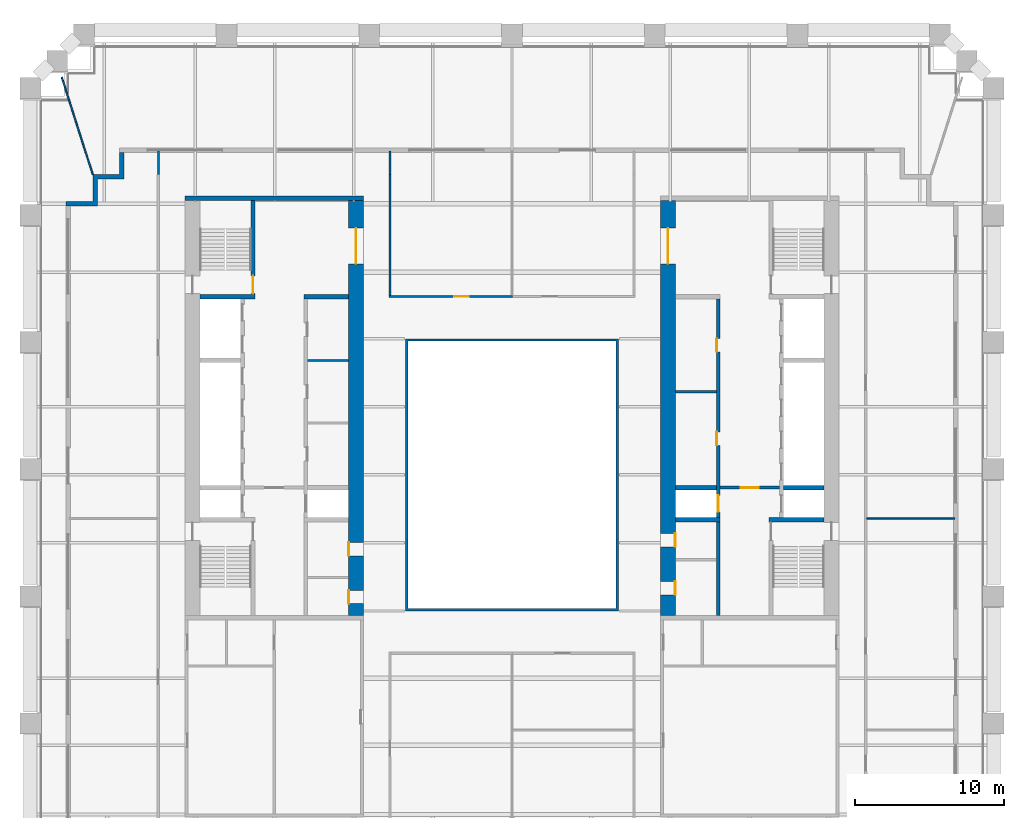
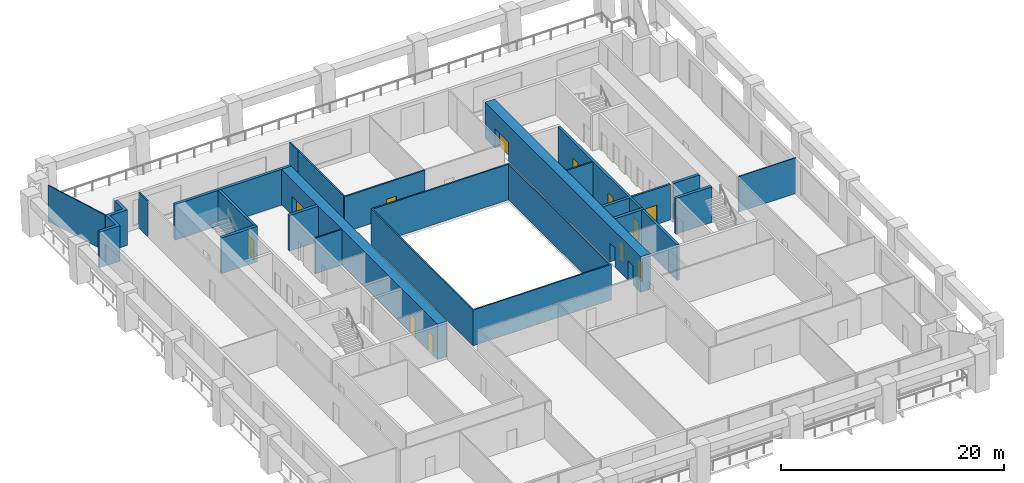
# One storey, part 8 of 11: 22 walls, 12 doors, 12 openings.
"""IFC4 building model written with IfcOpenShell, lengths in metres."""

from ifc_helpers import new_model, si_unit, direction, frame, frame_2d, origin, place, context, subcontext, project, spatial, polyline, rectangle, outline, extrude, material, layer, layer_set, type_object, element, fill, save


model = new_model("IFC4")

# Units and contexts
model_context = context("Model", 3, precision=1e-05, world=origin(), true_north=direction((0.0, 1.0)))
body_context = subcontext(model_context, "Body", "Model", "MODEL_VIEW")
ifc_project = project(units=[si_unit("LENGTHUNIT", "METRE"), si_unit("AREAUNIT", "SQUARE_METRE"), si_unit("VOLUMEUNIT", "CUBIC_METRE"), si_unit("PLANEANGLEUNIT", "RADIAN"), si_unit("MASSUNIT", "GRAM", prefix="KILO")], contexts=[model_context])

# Site, building, storey
site_placement = place(None, origin())
site = spatial("IfcSite", under=ifc_project, at=site_placement, CompositionType="ELEMENT")
building_placement = place(site_placement, origin())
building = spatial("IfcBuilding", under=site, at=building_placement, Name="Ogive Exchange Tower", CompositionType="ELEMENT")
storey_placement = place(building_placement, frame((0.0, 0.0, 90.0)))
storey = spatial("IfcBuildingStorey", under=building, at=storey_placement, Name="L19", CompositionType="ELEMENT", Elevation=90.0)

# Walls
ifc_material_1 = material(Name="Gypsum board partition")
ifc_layer_1 = layer(ifc_material_1, 0.14990234375)
ifc_layer_set_1 = layer_set([ifc_layer_1], Name="Core room partition 150 gypsum")
wall_type_1 = type_object("IfcWallType", Name="Core room partition 150 gypsum", PredefinedType="PARTITIONING", material=ifc_layer_set_1)
for number, where, z_axis, x_axis, name in (
    (1, (-13.75, 14.699951171875, 0.0), (0.0, 0.0, 1.0), (1.0, 0.0, 0.0), "W row B bay partition 1-2"),
    (2, (11.0, 12.60009765625, 0.0), (0.0, 0.0, 1.0), (1.0, 0.0, 0.0), "E row B bay partition 1-1"),
):
    element("IfcWall", number, at=place(storey_placement, frame(where, z_axis=z_axis, x_axis=x_axis)), inside=storey, type_object=wall_type_1, Name=name, PredefinedType="PARTITIONING", context=body_context, shape_type="SweptSolid", body=[
        extrude(rectangle(XDim=2.75, YDim=0.14990234375, at=frame_2d((1.375, 0.0))), origin(), (0.0, 0.0, 1.0), 3.89990234375),
    ])
ifc_layer_2 = layer(ifc_material_1, 0.300048828125)
ifc_layer_set_2 = layer_set([ifc_layer_2], Name="Core room partition 300 gypsum")
wall_type_2 = type_object("IfcWallType", Name="Core room partition 300 gypsum", PredefinedType="PARTITIONING", material=ifc_layer_set_2)
wall_1_placement = place(storey_placement, frame((-14.0, 19.0, 0.0), z_axis=(0.0, 0.0, 1.0), x_axis=(1.0, 0.0, 0.0)))
element("IfcWall", 3, at=wall_1_placement, inside=storey, type_object=wall_type_2, Name="W row B room end wall 7", PredefinedType="PARTITIONING", context=body_context, shape_type="SweptSolid", body=[
    extrude(rectangle(XDim=3.0, YDim=0.300048828125, at=frame_2d((1.5, 0.0))), origin(), (0.0, 0.0, 1.0), 3.89990234375),
])
ifc_material_2 = material(Name="Fire partition EI 60 150")
ifc_layer_3 = layer(ifc_material_2, 0.14990234375)
ifc_layer_set_3 = layer_set([ifc_layer_3], Name="Fire partition EI 60 150")
wall_type_3 = type_object("IfcWallType", Name="Fire partition EI 60 150", PredefinedType="PARTITIONING", material=ifc_layer_set_3)
for number, where, z_axis, x_axis, name in (
    (4, (-23.7900390625, 27.199951171875, 0.0), (0.0, 0.0, 1.0), (0.0, 1.0, 0.0), "L19-PWL-006"),
    (5, (-8.2099609375, 28.800048828125, 0.0), (0.0, 0.0, 1.0), (0.0, -1.0, 0.0), "L19-PWL-011"),
):
    element("IfcWall", number, at=place(storey_placement, frame(where, z_axis=z_axis, x_axis=x_axis)), inside=storey, type_object=wall_type_3, Name=name, PredefinedType="PARTITIONING", context=body_context, shape_type="SweptSolid", body=[
        extrude(rectangle(XDim=1.60009765625, YDim=0.14990234375, at=frame_2d((0.800048828125, 0.0))), origin(), (0.0, 0.0, 1.0), 3.89990234375),
    ])

# Wall, opening, door
wall_2_placement = place(storey_placement, frame((-8.27490234375, 19.0, 0.0), z_axis=(0.0, 0.0, 1.0), x_axis=(1.0, 0.0, 0.0)))
wall_2 = element("IfcWall", 6, at=wall_2_placement, inside=storey, type_object=wall_type_3, Name="L19-PWL-014", PredefinedType="PARTITIONING", context=body_context, shape_type="SweptSolid", body=[
    extrude(rectangle(XDim=8.324951171875, YDim=0.14990234375, at=frame_2d((4.16259765625, 0.0))), origin(), (0.0, 0.0, 1.0), 3.89990234375),
])
opening_1_placement = place(wall_2_placement, frame((4.375, 0.0, 0.0)))
opening_1 = element("IfcOpeningElement", 7, at=opening_1_placement, cuts=wall_2, Name="Opening L19-I01", PredefinedType="OPENING", context=body_context, shape_type="SweptSolid", body=[
    extrude(rectangle(XDim=1.0, YDim=2.10009765625, at=frame_2d((0.5, 1.050048828125))), frame((0.0, 0.0849609375, 0.0), z_axis=(0.0, -1.0, 0.0), x_axis=(1.0, 0.0, 0.0)), (0.0, 0.0, 1.0), 0.169921875),
])
ifc_material_3 = material(Name="Fire door FD 30S 1000 x 2100")
door_type_1 = type_object("IfcDoorType", Name="Fire door FD 30S 1000 x 2100", OperationType="NOTDEFINED", PredefinedType="DOOR", material=ifc_material_3)
door_1_placement = place(opening_1_placement, origin())
door_1 = element("IfcDoor", 8, at=door_1_placement, inside=storey, type_object=door_type_1, Name="L19-IDR-001", ObjectType="DT3", OperationType="SINGLE_SWING_LEFT", OverallHeight=2.10009765625, OverallWidth=1.0, PredefinedType="DOOR", context=body_context, shape_type="SweptSolid", body=[
    extrude(rectangle(XDim=1.0, YDim=2.10009765625, at=frame_2d((0.5, 1.050048828125))), frame((0.0, 0.02490234375, 0.0), z_axis=(0.0, -1.0, 0.0), x_axis=(1.0, 0.0, 0.0)), (0.0, 0.0, 1.0), 0.050048828125),
])
fill(opening_1, door_1)

# Walls
wall_3_placement = place(storey_placement, frame((-8.199951171875, 27.199951171875, 0.0), z_axis=(0.0, 0.0, 1.0), x_axis=(0.0, -1.0, 0.0)))
element("IfcWall", 9, at=wall_3_placement, inside=storey, type_object=wall_type_3, Name="L19-PWL-015", PredefinedType="PARTITIONING", context=body_context, shape_type="SweptSolid", body=[
    extrude(rectangle(XDim=8.125, YDim=0.14990234375, at=frame_2d((4.0625, 0.0))), origin(), (0.0, 0.0, 1.0), 3.89990234375),
])
ifc_material_4 = material(Name="Fire-resisting glass in steel frame", Category="steel")
ifc_layer_4 = layer(ifc_material_4, 0.14990234375)
ifc_layer_set_4 = layer_set([ifc_layer_4], Name="Fire-rated glazed wall 150")
wall_type_4 = type_object("IfcWallType", Name="Fire-rated glazed wall 150", PredefinedType="STANDARD", material=ifc_layer_set_4)
wall_4_placement = place(storey_placement, origin())
element("IfcWall", 10, at=wall_4_placement, inside=storey, type_object=wall_type_4, Name="Nave enclosure wall", PredefinedType="STANDARD", context=body_context, shape_type="SweptSolid", body=[
    extrude(outline(polyline([(-7.14990234375, -2.14990234375), (7.14990234375, -2.14990234375), (7.14990234375, 16.14990234375), (-7.14990234375, 16.14990234375), (-7.14990234375, -2.14990234375)]), holes=[polyline([(-7.0, -2.0), (-7.0, 16.0), (7.0, 16.0), (7.0, -2.0), (-7.0, -2.0)])]), origin(), (0.0, 0.0, 1.0), 3.89990234375),
])
ifc_material_5 = material(Name="Precast concrete C40/50", Category="concrete")
ifc_layer_5 = layer(ifc_material_5, 0.300048828125)
ifc_layer_set_5 = layer_set([ifc_layer_5], Name="Limestone-faced wall 300")
wall_type_5 = type_object("IfcWallType", Name="Limestone-faced wall 300", PredefinedType="STANDARD", material=ifc_layer_set_5)
wall_5_placement = place(storey_placement, origin())
element("IfcWall", 11, at=wall_5_placement, inside=storey, type_object=wall_type_5, Name="External corner wall C3", PredefinedType="STANDARD", context=body_context, shape_type="SweptSolid", body=[
    extrude(outline(polyline([(-28.199951171875, 25.39990234375), (-28.199951171875, 27.199951171875), (-26.39990234375, 27.199951171875), (-26.39990234375, 28.699951171875), (-26.10009765625, 28.699951171875), (-26.10009765625, 26.89990234375), (-27.89990234375, 26.89990234375), (-27.89990234375, 25.10009765625), (-30.0, 25.10009765625), (-30.0, 25.39990234375), (-28.199951171875, 25.39990234375)])), origin(), (0.0, 0.0, 1.0), 3.89990234375),
])
ifc_material_6 = material(Name="Laminated safety glass in steel frame", Category="steel")
ifc_layer_6 = layer(ifc_material_6, 0.10009765625)
ifc_layer_set_6 = layer_set([ifc_layer_6], Name="Loggia end screen 100")
wall_type_6 = type_object("IfcWallType", Name="Loggia end screen 100", PredefinedType="STANDARD", material=ifc_layer_set_6)
wall_6_placement = place(storey_placement, frame((-28.199951171875, 27.199951171875, -0.050048828125), z_axis=(0.0, 0.0, 1.0), x_axis=(-0.303785653439, 0.952740403659, 0.0)))
element("IfcWall", 12, at=wall_6_placement, inside=storey, type_object=wall_type_6, Name="Loggia end screen C3", PredefinedType="STANDARD", context=body_context, shape_type="SweptSolid", body=[
    extrude(rectangle(XDim=6.890625, YDim=0.10009765625, at=frame_2d((3.4453125, 0.0))), origin(), (0.0, 0.0, 1.0), 3.949951171875),
])
ifc_material_7 = material(Name="Partition 100 gypsum")
ifc_layer_7 = layer(ifc_material_7, 0.10009765625)
ifc_layer_set_7 = layer_set([ifc_layer_7], Name="Partition 100 gypsum")
wall_type_7 = type_object("IfcWallType", Name="Partition 100 gypsum", PredefinedType="PARTITIONING", material=ifc_layer_set_7)
wall_7_placement = place(storey_placement, frame((23.875, 4.06005859375, 0.0), z_axis=(0.0, 0.0, 1.0), x_axis=(1.0, 0.0, 0.0)))
element("IfcWall", 13, at=wall_7_placement, inside=storey, type_object=wall_type_7, Name="L19-PWL-036", PredefinedType="PARTITIONING", context=body_context, shape_type="SweptSolid", body=[
    extrude(rectangle(XDim=5.925048828125, YDim=0.10009765625, at=frame_2d((2.96240234375, 0.0))), origin(), (0.0, 0.0, 1.0), 3.89990234375),
])

# Wall, openings, doors
ifc_material_8 = material(Name="Concrete C70/85", Category="concrete")
ifc_layer_8 = layer(ifc_material_8, 1.0)
ifc_layer_set_8 = layer_set([ifc_layer_8], Name="RC core wall 1000 C70/85")
wall_type_8 = type_object("IfcWallType", Name="RC core wall 1000 C70/85", PredefinedType="SHEAR", material=ifc_layer_set_8)
wall_8_placement = place(storey_placement, frame((-10.5, -2.449951171875, 0.0), z_axis=(0.0, 0.0, 1.0), x_axis=(0.0, 1.0, 0.0)))
wall_8 = element("IfcWall", 14, at=wall_8_placement, inside=storey, type_object=wall_type_8, Name="W inner wall", PredefinedType="SHEAR", context=body_context, shape_type="SweptSolid", body=[
    extrude(rectangle(XDim=27.89990234375, YDim=1.0, at=frame_2d((13.949951171875, 0.0))), origin(), (0.0, 0.0, 1.0), 3.89990234375),
])
opening_2_placement = place(wall_8_placement, frame((23.64990234375, 0.0, 0.0)))
opening_2 = element("IfcOpeningElement", 15, at=opening_2_placement, cuts=wall_8, Name="Opening L19-C13", PredefinedType="OPENING", context=body_context, shape_type="SweptSolid", body=[
    extrude(rectangle(XDim=2.39990234375, YDim=2.10009765625, at=frame_2d((1.199951171875, 1.050048828125))), frame((0.0, 0.510009765625, 0.0), z_axis=(0.0, -1.0, 0.0), x_axis=(1.0, 0.0, 0.0)), (0.0, 0.0, 1.0), 1.02001953125),
])
opening_3_placement = place(wall_8_placement, frame((0.78759765625, 0.0, 0.0)))
opening_3 = element("IfcOpeningElement", 16, at=opening_3_placement, cuts=wall_8, Name="Opening L19-C18", PredefinedType="OPENING", context=body_context, shape_type="SweptSolid", body=[
    extrude(rectangle(XDim=0.89990234375, YDim=2.10009765625, at=frame_2d((0.449951171875, 1.050048828125))), frame((0.0, 0.510009765625, 0.0), z_axis=(0.0, -1.0, 0.0), x_axis=(1.0, 0.0, 0.0)), (0.0, 0.0, 1.0), 1.02001953125),
])
opening_4_placement = place(wall_8_placement, frame((4.012451171875, 0.0, 0.0)))
opening_4 = element("IfcOpeningElement", 17, at=opening_4_placement, cuts=wall_8, Name="Opening L19-C19", PredefinedType="OPENING", context=body_context, shape_type="SweptSolid", body=[
    extrude(rectangle(XDim=0.89990234375, YDim=2.10009765625, at=frame_2d((0.449951171875, 1.050048828125))), frame((0.0, 0.510009765625, 0.0), z_axis=(0.0, -1.0, 0.0), x_axis=(1.0, 0.0, 0.0)), (0.0, 0.0, 1.0), 1.02001953125),
])
ifc_material_9 = material(Name="Timber fire door", Category="wood")
door_type_2 = type_object("IfcDoorType", Name="Core room door FD30S 900 x 2100", OperationType="NOTDEFINED", PredefinedType="DOOR", material=ifc_material_9)
door_2_placement = place(opening_3_placement, origin())
door_2 = element("IfcDoor", 18, at=door_2_placement, inside=storey, type_object=door_type_2, Name="Core room door", ObjectType="CD6", OperationType="SINGLE_SWING_RIGHT", OverallHeight=2.10009765625, OverallWidth=0.89990234375, PredefinedType="DOOR", context=body_context, shape_type="SweptSolid", body=[
    extrude(rectangle(XDim=0.89990234375, YDim=2.10009765625, at=frame_2d((0.449951171875, 1.050048828125))), frame((0.0, 0.5, 0.0), z_axis=(0.0, -1.0, 0.0), x_axis=(1.0, 0.0, 0.0)), (0.0, 0.0, 1.0), 0.050048828125),
])
fill(opening_3, door_2)
ifc_material_10 = material(Name="Glazed steel fire door", Category="steel")
door_type_3 = type_object("IfcDoorType", Name="Lift lobby double door FD60 2400 x 2100", OperationType="DOUBLE_DOOR_SINGLE_SWING", PredefinedType="DOOR", material=ifc_material_10)
door_3_placement = place(opening_2_placement, origin())
door_3 = element("IfcDoor", 19, at=door_3_placement, inside=storey, type_object=door_type_3, Name="Lift lobby double door", ObjectType="CD4", OperationType="DOUBLE_DOOR_SINGLE_SWING", OverallHeight=2.10009765625, OverallWidth=2.39990234375, PredefinedType="DOOR", context=body_context, shape_type="SweptSolid", body=[
    extrude(rectangle(XDim=2.39990234375, YDim=2.10009765625, at=frame_2d((1.199951171875, 1.050048828125))), frame((0.0, 0.02490234375, 0.0), z_axis=(0.0, -1.0, 0.0), x_axis=(1.0, 0.0, 0.0)), (0.0, 0.0, 1.0), 0.050048828125),
])
fill(opening_2, door_3)
ifc_material_11 = material(Name="Steel fire door", Category="steel")
door_type_4 = type_object("IfcDoorType", Name="Riser door FD60 900 x 2100", OperationType="NOTDEFINED", PredefinedType="DOOR", material=ifc_material_11)
door_4_placement = place(opening_4_placement, origin())
door_4 = element("IfcDoor", 20, at=door_4_placement, inside=storey, type_object=door_type_4, Name="Riser door", ObjectType="CD2", OperationType="SINGLE_SWING_RIGHT", OverallHeight=2.10009765625, OverallWidth=0.89990234375, PredefinedType="DOOR", context=body_context, shape_type="SweptSolid", body=[
    extrude(rectangle(XDim=0.89990234375, YDim=2.10009765625, at=frame_2d((0.449951171875, 1.050048828125))), frame((0.0, 0.5, 0.0), z_axis=(0.0, -1.0, 0.0), x_axis=(1.0, 0.0, 0.0)), (0.0, 0.0, 1.0), 0.050048828125),
])
fill(opening_4, door_4)

wall_9_placement = place(storey_placement, frame((10.5, -2.449951171875, 0.0), z_axis=(0.0, 0.0, 1.0), x_axis=(0.0, 1.0, 0.0)))
wall_9 = element("IfcWall", 21, at=wall_9_placement, inside=storey, type_object=wall_type_8, Name="E inner wall", PredefinedType="SHEAR", context=body_context, shape_type="SweptSolid", body=[
    extrude(rectangle(XDim=27.89990234375, YDim=1.0, at=frame_2d((13.949951171875, 0.0))), origin(), (0.0, 0.0, 1.0), 3.89990234375),
])
opening_5_placement = place(wall_9_placement, frame((23.64990234375, 0.0, 0.0)))
opening_5 = element("IfcOpeningElement", 22, at=opening_5_placement, cuts=wall_9, Name="Opening L19-C35", PredefinedType="OPENING", context=body_context, shape_type="SweptSolid", body=[
    extrude(rectangle(XDim=2.39990234375, YDim=2.10009765625, at=frame_2d((1.199951171875, 1.050048828125))), frame((0.0, 0.510009765625, 0.0), z_axis=(0.0, -1.0, 0.0), x_axis=(1.0, 0.0, 0.0)), (0.0, 0.0, 1.0), 1.02001953125),
])
opening_6_placement = place(wall_9_placement, frame((1.387451171875, 0.0, 0.0)))
opening_6 = element("IfcOpeningElement", 23, at=opening_6_placement, cuts=wall_9, Name="Opening L19-C40", PredefinedType="OPENING", context=body_context, shape_type="SweptSolid", body=[
    extrude(rectangle(XDim=0.89990234375, YDim=2.10009765625, at=frame_2d((0.449951171875, 1.050048828125))), frame((0.0, 0.510009765625, 0.0), z_axis=(0.0, -1.0, 0.0), x_axis=(1.0, 0.0, 0.0)), (0.0, 0.0, 1.0), 1.02001953125),
])
opening_7_placement = place(wall_9_placement, frame((4.612548828125, 0.0, 0.0)))
opening_7 = element("IfcOpeningElement", 24, at=opening_7_placement, cuts=wall_9, Name="Opening L19-C41", PredefinedType="OPENING", context=body_context, shape_type="SweptSolid", body=[
    extrude(rectangle(XDim=0.89990234375, YDim=2.10009765625, at=frame_2d((0.449951171875, 1.050048828125))), frame((0.0, 0.510009765625, 0.0), z_axis=(0.0, -1.0, 0.0), x_axis=(1.0, 0.0, 0.0)), (0.0, 0.0, 1.0), 1.02001953125),
])
door_5_placement = place(opening_6_placement, frame((0.89990234375, -0.9501953125, 0.0), z_axis=(0.0, 0.0, 1.0), x_axis=(-1.0, 0.0, 0.0)))
door_5 = element("IfcDoor", 25, at=door_5_placement, inside=storey, type_object=door_type_2, Name="Core room door", ObjectType="CD6", OperationType="SINGLE_SWING_RIGHT", OverallHeight=2.10009765625, OverallWidth=0.89990234375, PredefinedType="DOOR", context=body_context, shape_type="SweptSolid", body=[
    extrude(rectangle(XDim=0.89990234375, YDim=2.10009765625, at=frame_2d((0.449951171875, 1.050048828125))), frame((0.0, -0.4501953125, 0.0), z_axis=(0.0, -1.0, 0.0), x_axis=(1.0, 0.0, 0.0)), (0.0, 0.0, 1.0), 0.050048828125),
])
fill(opening_6, door_5)
door_6_placement = place(opening_7_placement, frame((0.89990234375, -0.9501953125, 0.0), z_axis=(0.0, 0.0, 1.0), x_axis=(-1.0, 0.0, 0.0)))
door_6 = element("IfcDoor", 26, at=door_6_placement, inside=storey, type_object=door_type_2, Name="Core room door", ObjectType="CD6", OperationType="SINGLE_SWING_RIGHT", OverallHeight=2.10009765625, OverallWidth=0.89990234375, PredefinedType="DOOR", context=body_context, shape_type="SweptSolid", body=[
    extrude(rectangle(XDim=0.89990234375, YDim=2.10009765625, at=frame_2d((0.449951171875, 1.050048828125))), frame((0.0, -0.4501953125, 0.0), z_axis=(0.0, -1.0, 0.0), x_axis=(1.0, 0.0, 0.0)), (0.0, 0.0, 1.0), 0.050048828125),
])
fill(opening_7, door_6)
door_7_placement = place(opening_5_placement, frame((2.39990234375, 0.0, 0.0), z_axis=(0.0, 0.0, 1.0), x_axis=(-1.0, 0.0, 0.0)))
door_7 = element("IfcDoor", 27, at=door_7_placement, inside=storey, type_object=door_type_3, Name="Lift lobby double door", ObjectType="CD4", OperationType="DOUBLE_DOOR_SINGLE_SWING", OverallHeight=2.10009765625, OverallWidth=2.39990234375, PredefinedType="DOOR", context=body_context, shape_type="SweptSolid", body=[
    extrude(rectangle(XDim=2.39990234375, YDim=2.10009765625, at=frame_2d((1.199951171875, 1.050048828125))), frame((0.0, 0.02490234375, 0.0), z_axis=(0.0, -1.0, 0.0), x_axis=(1.0, 0.0, 0.0)), (0.0, 0.0, 1.0), 0.050048828125),
])
fill(opening_5, door_7)

# Wall, opening, door
ifc_layer_9 = layer(ifc_material_8, 0.199951171875)
ifc_layer_set_9 = layer_set([ifc_layer_9], Name="RC core wall 200 C70/85")
wall_type_9 = type_object("IfcWallType", Name="RC core wall 200 C70/85", PredefinedType="SHEAR", material=ifc_layer_set_9)
wall_10_placement = place(storey_placement, frame((14.0, 6.142822265625, 0.0), z_axis=(0.0, 0.0, 1.0), x_axis=(1.0, 0.0, 0.0)))
wall_10 = element("IfcWall", 28, at=wall_10_placement, inside=storey, type_object=wall_type_9, Name="E firefighting lobby wall", PredefinedType="SHEAR", context=body_context, shape_type="SweptSolid", body=[
    extrude(rectangle(XDim=4.0, YDim=0.199951171875, at=frame_2d((2.0, 0.0))), origin(), (0.0, 0.0, 1.0), 3.89990234375),
])
opening_8_placement = place(wall_10_placement, frame((1.39990234375, 0.0, 0.0)))
opening_8 = element("IfcOpeningElement", 29, at=opening_8_placement, cuts=wall_10, Name="Opening L19-C34", PredefinedType="OPENING", context=body_context, shape_type="SweptSolid", body=[
    extrude(rectangle(XDim=1.199951171875, YDim=2.10009765625, at=frame_2d((0.60009765625, 1.050048828125))), frame((0.0, 0.10986328125, 0.0), z_axis=(0.0, -1.0, 0.0), x_axis=(1.0, 0.0, 0.0)), (0.0, 0.0, 1.0), 0.219970703125),
])
door_type_5 = type_object("IfcDoorType", Name="Firefighting lobby door FD60 1200 x 2100", OperationType="NOTDEFINED", PredefinedType="DOOR", material=ifc_material_11)
door_8_placement = place(opening_8_placement, frame((1.199951171875, 0.0, 0.0), z_axis=(0.0, 0.0, 1.0), x_axis=(-1.0, 0.0, 0.0)))
door_8 = element("IfcDoor", 30, at=door_8_placement, inside=storey, type_object=door_type_5, Name="Firefighting lobby door", ObjectType="CD3", OperationType="SINGLE_SWING_RIGHT", OverallHeight=2.10009765625, OverallWidth=1.199951171875, PredefinedType="DOOR", context=body_context, shape_type="SweptSolid", body=[
    extrude(rectangle(XDim=1.199951171875, YDim=2.10009765625, at=frame_2d((0.60009765625, 1.050048828125))), frame((0.0, 0.02490234375, 0.0), z_axis=(0.0, -1.0, 0.0), x_axis=(1.0, 0.0, 0.0)), (0.0, 0.0, 1.0), 0.050048828125),
])
fill(opening_8, door_8)

ifc_layer_10 = layer(ifc_material_8, 0.25)
ifc_layer_set_10 = layer_set([ifc_layer_10], Name="RC core wall 250 C70/85")
wall_type_10 = type_object("IfcWallType", Name="RC core wall 250 C70/85", PredefinedType="SHEAR", material=ifc_layer_set_10)
wall_11_placement = place(storey_placement, frame((-17.425048828125, 19.14990234375, 0.0), z_axis=(0.0, 0.0, 1.0), x_axis=(0.0, 1.0, 0.0)))
wall_11 = element("IfcWall", 31, at=wall_11_placement, inside=storey, type_object=wall_type_10, Name="W stair N front wall", PredefinedType="SHEAR", context=body_context, shape_type="SweptSolid", body=[
    extrude(rectangle(XDim=6.300048828125, YDim=0.25, at=frame_2d((3.14990234375, 0.0))), origin(), (0.0, 0.0, 1.0), 3.89990234375),
])
opening_9_placement = place(wall_11_placement, frame((0.050048828125, 0.0, 0.0)))
opening_9 = element("IfcOpeningElement", 32, at=opening_9_placement, cuts=wall_11, Name="Opening L19-C16", PredefinedType="OPENING", context=body_context, shape_type="SweptSolid", body=[
    extrude(rectangle(XDim=1.199951171875, YDim=2.10009765625, at=frame_2d((0.60009765625, 1.050048828125))), frame((0.0, 0.135009765625, 0.0), z_axis=(0.0, -1.0, 0.0), x_axis=(1.0, 0.0, 0.0)), (0.0, 0.0, 1.0), 0.27001953125),
])
door_type_6 = type_object("IfcDoorType", Name="Stair door FD90 1200 x 2100", OperationType="NOTDEFINED", PredefinedType="DOOR", material=ifc_material_11)
door_9_placement = place(opening_9_placement, origin())
door_9 = element("IfcDoor", 33, at=door_9_placement, inside=storey, type_object=door_type_6, Name="Stair door", ObjectType="CD5", OperationType="SINGLE_SWING_RIGHT", OverallHeight=2.10009765625, OverallWidth=1.199951171875, PredefinedType="DOOR", context=body_context, shape_type="SweptSolid", body=[
    extrude(rectangle(XDim=1.199951171875, YDim=2.10009765625, at=frame_2d((0.60009765625, 1.050048828125))), frame((0.0, 0.02490234375, 0.0), z_axis=(0.0, -1.0, 0.0), x_axis=(1.0, 0.0, 0.0)), (0.0, 0.0, 1.0), 0.050048828125),
])
fill(opening_9, door_9)

# Wall, openings, doors
wall_12_placement = place(storey_placement, frame((13.875, -2.449951171875, 0.0), z_axis=(0.0, 0.0, 1.0), x_axis=(0.0, 1.0, 0.0)))
wall_12 = element("IfcWall", 34, at=wall_12_placement, inside=storey, type_object=wall_type_10, Name="E row B front wall", PredefinedType="SHEAR", context=body_context, shape_type="SweptSolid", body=[
    extrude(rectangle(XDim=21.300048828125, YDim=0.25, at=frame_2d((10.64990234375, 0.0))), origin(), (0.0, 0.0, 1.0), 3.89990234375),
])
opening_10_placement = place(wall_12_placement, frame((11.4462890625, 0.0, 0.0)))
opening_10 = element("IfcOpeningElement", 35, at=opening_10_placement, cuts=wall_12, Name="Opening L19-C31", PredefinedType="OPENING", context=body_context, shape_type="SweptSolid", body=[
    extrude(rectangle(XDim=0.89990234375, YDim=2.10009765625, at=frame_2d((0.449951171875, 1.050048828125))), frame((0.0, 0.135009765625, 0.0), z_axis=(0.0, -1.0, 0.0), x_axis=(1.0, 0.0, 0.0)), (0.0, 0.0, 1.0), 0.27001953125),
])
opening_11_placement = place(wall_12_placement, frame((17.72509765625, 0.0, 0.0)))
opening_11 = element("IfcOpeningElement", 36, at=opening_11_placement, cuts=wall_12, Name="Opening L19-C32", PredefinedType="OPENING", context=body_context, shape_type="SweptSolid", body=[
    extrude(rectangle(XDim=0.89990234375, YDim=2.10009765625, at=frame_2d((0.449951171875, 1.050048828125))), frame((0.0, 0.135009765625, 0.0), z_axis=(0.0, -1.0, 0.0), x_axis=(1.0, 0.0, 0.0)), (0.0, 0.0, 1.0), 0.27001953125),
])
opening_12_placement = place(wall_12_placement, frame((6.971435546875, 0.0, 0.0)))
opening_12 = element("IfcOpeningElement", 37, at=opening_12_placement, cuts=wall_12, Name="Opening L19-C33", PredefinedType="OPENING", context=body_context, shape_type="SweptSolid", body=[
    extrude(rectangle(XDim=1.10009765625, YDim=2.10009765625, at=frame_2d((0.550048828125, 1.050048828125))), frame((0.0, 0.135009765625, 0.0), z_axis=(0.0, -1.0, 0.0), x_axis=(1.0, 0.0, 0.0)), (0.0, 0.0, 1.0), 0.27001953125),
])
door_10_placement = place(opening_11_placement, origin())
door_10 = element("IfcDoor", 38, at=door_10_placement, inside=storey, type_object=door_type_2, Name="Core room door", ObjectType="CD6", OperationType="SINGLE_SWING_RIGHT", OverallHeight=2.10009765625, OverallWidth=0.89990234375, PredefinedType="DOOR", context=body_context, shape_type="SweptSolid", body=[
    extrude(rectangle(XDim=0.89990234375, YDim=2.10009765625, at=frame_2d((0.449951171875, 1.050048828125))), frame((0.0, 0.125, 0.0), z_axis=(0.0, -1.0, 0.0), x_axis=(1.0, 0.0, 0.0)), (0.0, 0.0, 1.0), 0.050048828125),
])
fill(opening_11, door_10)
ifc_material_12 = material(Name="Stainless steel", Category="steel")
door_type_7 = type_object("IfcDoorType", Name="Lift landing door FD90 1100 x 2100", OperationType="SLIDING_TO_LEFT", PredefinedType="DOOR", material=ifc_material_12)
door_11_placement = place(opening_12_placement, origin())
door_11 = element("IfcDoor", 39, at=door_11_placement, inside=storey, type_object=door_type_7, Name="Lift landing door SV2", ObjectType="LD", OperationType="SLIDING_TO_LEFT", OverallHeight=2.10009765625, OverallWidth=1.10009765625, PredefinedType="DOOR", context=body_context, shape_type="SweptSolid", body=[
    extrude(rectangle(XDim=1.10009765625, YDim=2.10009765625, at=frame_2d((0.550048828125, 1.050048828125))), frame((0.0, 0.02490234375, 0.0), z_axis=(0.0, -1.0, 0.0), x_axis=(1.0, 0.0, 0.0)), (0.0, 0.0, 1.0), 0.050048828125),
])
fill(opening_12, door_11)
door_12_placement = place(opening_10_placement, origin())
door_12 = element("IfcDoor", 40, at=door_12_placement, inside=storey, type_object=door_type_4, Name="Riser door", ObjectType="CD2", OperationType="SINGLE_SWING_RIGHT", OverallHeight=2.10009765625, OverallWidth=0.89990234375, PredefinedType="DOOR", context=body_context, shape_type="SweptSolid", body=[
    extrude(rectangle(XDim=0.89990234375, YDim=2.10009765625, at=frame_2d((0.449951171875, 1.050048828125))), frame((0.0, 0.125, 0.0), z_axis=(0.0, -1.0, 0.0), x_axis=(1.0, 0.0, 0.0)), (0.0, 0.0, 1.0), 0.050048828125),
])
fill(opening_10, door_12)

# Walls
ifc_layer_11 = layer(ifc_material_8, 0.300048828125)
ifc_layer_set_11 = layer_set([ifc_layer_11], Name="RC core wall 300 C70/85")
wall_type_11 = type_object("IfcWallType", Name="RC core wall 300 C70/85", PredefinedType="SHEAR", material=ifc_layer_set_11)
wall_13_placement = place(storey_placement, frame((-22.0, 25.60009765625, 0.0), z_axis=(0.0, 0.0, 1.0), x_axis=(1.0, 0.0, 0.0)))
element("IfcWall", 41, at=wall_13_placement, inside=storey, type_object=wall_type_11, Name="W north end wall", PredefinedType="SHEAR", context=body_context, shape_type="SweptSolid", body=[
    extrude(rectangle(XDim=12.0, YDim=0.300048828125, at=frame_2d((6.0, 0.0))), origin(), (0.0, 0.0, 1.0), 3.89990234375),
])
for number, where, z_axis, x_axis, name in (
    (42, (-21.0, 19.0, 0.0), (0.0, 0.0, 1.0), (1.0, 0.0, 0.0), "W stair N south wall"),
    (43, (17.300048828125, 4.0, 0.0), (0.0, 0.0, 1.0), (1.0, 0.0, 0.0), "E stair S north wall"),
):
    element("IfcWall", number, at=place(storey_placement, frame(where, z_axis=z_axis, x_axis=x_axis)), inside=storey, type_object=wall_type_11, Name=name, PredefinedType="SHEAR", context=body_context, shape_type="SweptSolid", body=[
        extrude(rectangle(XDim=3.699951171875, YDim=0.300048828125, at=frame_2d((1.85009765625, 0.0))), origin(), (0.0, 0.0, 1.0), 3.89990234375),
    ])
wall_14_placement = place(storey_placement, frame((18.25, 6.142822265625, 0.0), z_axis=(0.0, 0.0, 1.0), x_axis=(1.0, 0.0, 0.0)))
element("IfcWall", 44, at=wall_14_placement, inside=storey, type_object=wall_type_11, Name="E row A divider 1", PredefinedType="SHEAR", context=body_context, shape_type="SweptSolid", body=[
    extrude(rectangle(XDim=2.75, YDim=0.300048828125, at=frame_2d((1.375, 0.0))), origin(), (0.0, 0.0, 1.0), 3.89990234375),
])
wall_15_placement = place(storey_placement, frame((11.0, 4.0, 0.0), z_axis=(0.0, 0.0, 1.0), x_axis=(1.0, 0.0, 0.0)))
element("IfcWall", 45, at=wall_15_placement, inside=storey, type_object=wall_type_11, Name="E row B divider 0", PredefinedType="SHEAR", context=body_context, shape_type="SweptSolid", body=[
    extrude(rectangle(XDim=3.0, YDim=0.300048828125, at=frame_2d((1.5, 0.0))), origin(), (0.0, 0.0, 1.0), 3.89990234375),
])
wall_16_placement = place(storey_placement, frame((11.0, 6.142822265625, 0.0), z_axis=(0.0, 0.0, 1.0), x_axis=(1.0, 0.0, 0.0)))
element("IfcWall", 46, at=wall_16_placement, inside=storey, type_object=wall_type_11, Name="E row B divider 1", PredefinedType="SHEAR", context=body_context, shape_type="SweptSolid", body=[
    extrude(rectangle(XDim=2.75, YDim=0.300048828125, at=frame_2d((1.375, 0.0))), origin(), (0.0, 0.0, 1.0), 3.89990234375),
])

save(model, "model.ifc")
